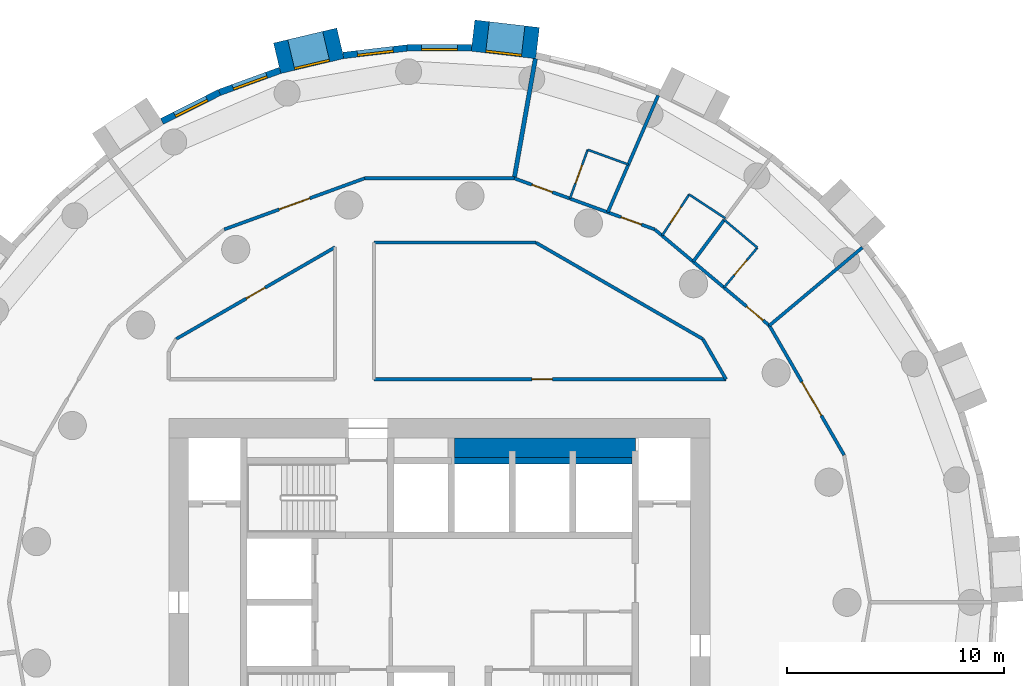
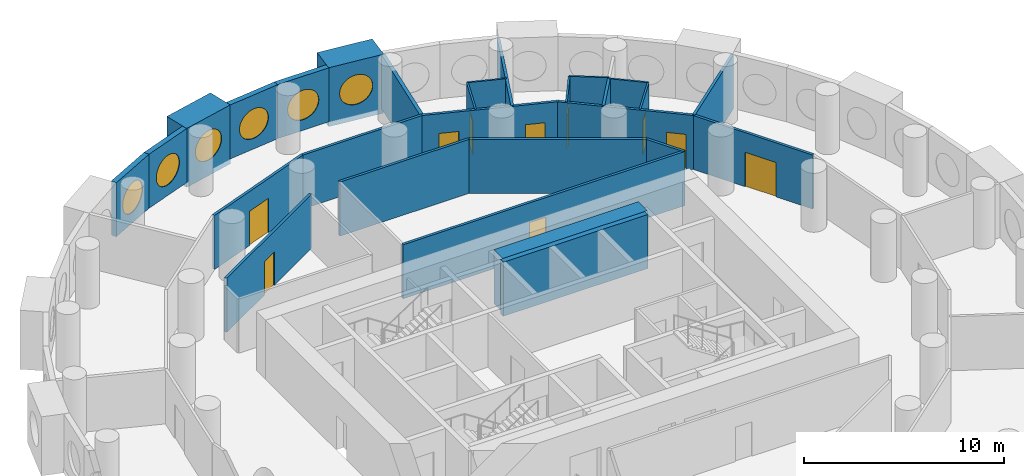
# One storey, part 6 of 9: 28 walls, 10 doors, 6 windows, 16 openings.
"""IFC4 building model written with IfcOpenShell, lengths in metres."""

from ifc_helpers import new_model, si_unit, direction, frame, frame_2d, origin, origin_2d, place, context, subcontext, project, spatial, rectangle, circle, extrude, material, layer, layer_set, type_object, element, fill, save


model = new_model("IFC4")

# Units and contexts
model_context = context("Model", 3, precision=1e-05, world=origin(), true_north=direction((0.0, 1.0)))
body_context = subcontext(model_context, "Body", "Model", "MODEL_VIEW")
ifc_project = project(units=[si_unit("LENGTHUNIT", "METRE"), si_unit("AREAUNIT", "SQUARE_METRE"), si_unit("VOLUMEUNIT", "CUBIC_METRE"), si_unit("PLANEANGLEUNIT", "RADIAN"), si_unit("MASSUNIT", "GRAM", prefix="KILO")], contexts=[model_context])

# Site, building, storey
site_placement = place(None, origin())
site = spatial("IfcSite", under=ifc_project, at=site_placement, CompositionType="ELEMENT")
building_placement = place(site_placement, origin())
building = spatial("IfcBuilding", under=site, at=building_placement, Name="Tracery Tower", CompositionType="ELEMENT")
storey_placement = place(building_placement, frame((0.0, 0.0, 147.60009765625)))
storey = spatial("IfcBuildingStorey", under=building, at=storey_placement, Name="L37", CompositionType="ELEMENT", Elevation=147.60009765625)

# Wall
ifc_material_1 = material(Name="Concrete C50/60", Category="concrete")
ifc_layer_1 = layer(ifc_material_1, 0.89990234375)
ifc_layer_set_1 = layer_set([ifc_layer_1], Name="Core strip wall 900 C50")
wall_type_1 = type_object("IfcWallType", Name="Core strip wall 900 C50", PredefinedType="SOLIDWALL", material=ifc_layer_set_1)
wall_1_placement = place(storey_placement, frame((0.699951171875, 7.14990234375, 0.0), z_axis=(0.0, 0.0, 1.0), x_axis=(1.0, 0.0, 0.0)))
element("IfcWall", 1, at=wall_1_placement, inside=storey, type_object=wall_type_1, Name="L37 F thick N E", PredefinedType="SOLIDWALL", context=body_context, shape_type="SweptSolid", body=[
    extrude(rectangle(XDim=8.35009765625, YDim=0.89990234375, at=frame_2d((4.175048828125, 0.0))), origin(), (0.0, 0.0, 1.0), 3.2998046875),
])

# Wall, opening, window
ifc_material_2 = material(Name="Precast concrete C50/60", Category="concrete")
ifc_layer_2 = layer(ifc_material_2, 1.449951171875)
ifc_layer_set_2 = layer_set([ifc_layer_2], Name="Deep-set bay unit 3000 x 3600, slab edge 300")
wall_type_2 = type_object("IfcWallType", Name="Deep-set bay unit 3000 x 3600, slab edge 300", PredefinedType="ELEMENTEDWALL", material=ifc_layer_set_2)
wall_2_placement = place(storey_placement, frame((4.529052734375, 25.827880859375, -0.300048828125), z_axis=(0.0, 0.0, 1.0), x_axis=(-0.9932342274, 0.116128246006, 0.0)))
wall_2 = element("IfcWall", 2, at=wall_2_placement, inside=storey, type_object=wall_type_2, Name="Deep-set bay unit 13 at L37", PredefinedType="ELEMENTEDWALL", context=body_context, shape_type="SweptSolid", body=[
    extrude(rectangle(XDim=3.0, YDim=1.449951171875, at=frame_2d((1.5, 0.0))), origin(), (0.0, 0.0, 1.0), 3.599853515625),
])
opening_1_placement = place(wall_2_placement, frame((1.5, 0.0, 1.85009765625)))
opening_1 = element("IfcOpeningElement", 3, at=opening_1_placement, cuts=wall_2, Name="Opening WN1", PredefinedType="OPENING", context=body_context, shape_type="SweptSolid", body=[
    extrude(circle(Radius=0.9000244140625, at=origin_2d()), frame((0.0, 0.73486328125, 0.0), z_axis=(0.0, -1.0, 0.0), x_axis=(1.0, 0.0, 0.0)), (0.0, 0.0, 1.0), 1.469970703125),
])
ifc_material_3 = material(Name="Aluminium frame with tinted double glazing", Category="aluminium")
window_type = type_object("IfcWindowType", Name="Round window 1800", PartitioningType="SINGLE_PANEL", PredefinedType="WINDOW", material=ifc_material_3)
window_1_placement = place(opening_1_placement, origin())
window_1 = element("IfcWindow", 4, at=window_1_placement, inside=storey, type_object=window_type, Name="Round window 13 at L37", OverallHeight=1.800048828125, OverallWidth=1.800048828125, PartitioningType="SINGLE_PANEL", PredefinedType="WINDOW", context=body_context, shape_type="SweptSolid", body=[
    extrude(circle(Radius=0.9000244140625, at=origin_2d()), frame((0.0, 0.69482421875, 0.0), z_axis=(0.0, -1.0, 0.0), x_axis=(1.0, 0.0, 0.0)), (0.0, 0.0, 1.0), 0.10009765625),
])
fill(opening_1, window_1)

wall_3_placement = place(storey_placement, frame((-4.57763671875, 25.8193359375, -0.300048828125), z_axis=(0.0, 0.0, 1.0), x_axis=(-0.973042333261, -0.23062657627, 0.0)))
wall_3 = element("IfcWall", 5, at=wall_3_placement, inside=storey, type_object=wall_type_2, Name="Deep-set bay unit 16 at L37", PredefinedType="ELEMENTEDWALL", context=body_context, shape_type="SweptSolid", body=[
    extrude(rectangle(XDim=3.0, YDim=1.449951171875, at=frame_2d((1.5, 0.0))), origin(), (0.0, 0.0, 1.0), 3.599853515625),
])
opening_2_placement = place(wall_3_placement, frame((1.5, 0.0, 1.85009765625)))
opening_2 = element("IfcOpeningElement", 6, at=opening_2_placement, cuts=wall_3, Name="Opening WN1", PredefinedType="OPENING", context=body_context, shape_type="SweptSolid", body=[
    extrude(circle(Radius=0.9000244140625, at=origin_2d()), frame((0.0, 0.73486328125, 0.0), z_axis=(0.0, -1.0, 0.0), x_axis=(1.0, 0.0, 0.0)), (0.0, 0.0, 1.0), 1.469970703125),
])
window_2_placement = place(opening_2_placement, origin())
window_2 = element("IfcWindow", 7, at=window_2_placement, inside=storey, type_object=window_type, Name="Round window 16 at L37", OverallHeight=1.800048828125, OverallWidth=1.800048828125, PartitioningType="SINGLE_PANEL", PredefinedType="WINDOW", context=body_context, shape_type="SweptSolid", body=[
    extrude(circle(Radius=0.9000244140625, at=origin_2d()), frame((0.0, 0.69482421875, 0.0), z_axis=(0.0, -1.0, 0.0), x_axis=(1.0, 0.0, 0.0)), (0.0, 0.0, 1.0), 0.10009765625),
])
fill(opening_2, window_2)

ifc_material_4 = material(Name="Precast concrete C50/60", Category="concrete")
ifc_layer_3 = layer(ifc_material_4, 0.300048828125)
ifc_layer_set_3 = layer_set([ifc_layer_3], Name="Facade panel 3000 x 3300")
wall_type_3 = type_object("IfcWallType", Name="Facade panel 3000 x 3300", PredefinedType="SOLIDWALL", material=ifc_layer_set_3)
wall_4_placement = place(storey_placement, frame((1.481689453125, 25.60400390625, 0.0), z_axis=(0.0, 0.0, 1.0), x_axis=(-1.0, 0.0, 0.0)))
wall_4 = element("IfcWall", 8, at=wall_4_placement, inside=storey, type_object=wall_type_3, Name="Facade panel 14 at L37", PredefinedType="SOLIDWALL", context=body_context, shape_type="SweptSolid", body=[
    extrude(rectangle(XDim=2.972900390625, YDim=0.300048828125, at=frame_2d((1.486328125, 0.0))), origin(), (0.0, 0.0, 1.0), 3.2998046875),
])
opening_3_placement = place(wall_4_placement, frame((1.486328125, 0.0, 1.5498046875)))
opening_3 = element("IfcOpeningElement", 9, at=opening_3_placement, cuts=wall_4, Name="Opening WN1", PredefinedType="OPENING", context=body_context, shape_type="SweptSolid", body=[
    extrude(circle(Radius=0.9000244140625, at=origin_2d()), frame((0.0, 0.159912109375, 0.0), z_axis=(0.0, -1.0, 0.0), x_axis=(1.0, 0.0, 0.0)), (0.0, 0.0, 1.0), 0.320068359375),
])
window_3_placement = place(opening_3_placement, origin())
window_3 = element("IfcWindow", 10, at=window_3_placement, inside=storey, type_object=window_type, Name="Round window 14 at L37", OverallHeight=1.800048828125, OverallWidth=1.800048828125, PartitioningType="SINGLE_PANEL", PredefinedType="WINDOW", context=body_context, shape_type="SweptSolid", body=[
    extrude(circle(Radius=0.9000244140625, at=origin_2d()), frame((0.0, 0.1201171875, 0.0), z_axis=(0.0, -1.0, 0.0), x_axis=(1.0, 0.0, 0.0)), (0.0, 0.0, 1.0), 0.10009765625),
])
fill(opening_3, window_3)

wall_5_placement = place(storey_placement, frame((-1.4912109375, 25.60400390625, 0.0), z_axis=(0.0, 0.0, 1.0), x_axis=(-0.993245010522, -0.1160359818, 0.0)))
wall_5 = element("IfcWall", 11, at=wall_5_placement, inside=storey, type_object=wall_type_3, Name="Facade panel 15 at L37", PredefinedType="SOLIDWALL", context=body_context, shape_type="SweptSolid", body=[
    extrude(rectangle(XDim=2.972900390625, YDim=0.300048828125, at=frame_2d((1.486328125, 0.0))), origin(), (0.0, 0.0, 1.0), 3.2998046875),
])
opening_4_placement = place(wall_5_placement, frame((1.486328125, 0.0, 1.5498046875)))
opening_4 = element("IfcOpeningElement", 12, at=opening_4_placement, cuts=wall_5, Name="Opening WN1", PredefinedType="OPENING", context=body_context, shape_type="SweptSolid", body=[
    extrude(circle(Radius=0.9000244140625, at=origin_2d()), frame((0.0, 0.159912109375, 0.0), z_axis=(0.0, -1.0, 0.0), x_axis=(1.0, 0.0, 0.0)), (0.0, 0.0, 1.0), 0.320068359375),
])
window_4_placement = place(opening_4_placement, origin())
window_4 = element("IfcWindow", 13, at=window_4_placement, inside=storey, type_object=window_type, Name="Round window 15 at L37", OverallHeight=1.800048828125, OverallWidth=1.800048828125, PartitioningType="SINGLE_PANEL", PredefinedType="WINDOW", context=body_context, shape_type="SweptSolid", body=[
    extrude(circle(Radius=0.9000244140625, at=origin_2d()), frame((0.0, 0.1201171875, 0.0), z_axis=(0.0, -1.0, 0.0), x_axis=(1.0, 0.0, 0.0)), (0.0, 0.0, 1.0), 0.10009765625),
])
fill(opening_4, window_4)

wall_6_placement = place(storey_placement, frame((-7.36474609375, 24.566650390625, 0.0), z_axis=(0.0, 0.0, 1.0), x_axis=(-0.939690282133, -0.342026568652, 0.0)))
wall_6 = element("IfcWall", 14, at=wall_6_placement, inside=storey, type_object=wall_type_3, Name="Facade panel 17 at L37", PredefinedType="SOLIDWALL", context=body_context, shape_type="SweptSolid", body=[
    extrude(rectangle(XDim=2.972900390625, YDim=0.300048828125, at=frame_2d((1.486328125, 0.0))), origin(), (0.0, 0.0, 1.0), 3.2998046875),
])
opening_5_placement = place(wall_6_placement, frame((1.486328125, 0.0, 1.5498046875)))
opening_5 = element("IfcOpeningElement", 15, at=opening_5_placement, cuts=wall_6, Name="Opening WN1", PredefinedType="OPENING", context=body_context, shape_type="SweptSolid", body=[
    extrude(circle(Radius=0.9000244140625, at=origin_2d()), frame((0.0, 0.159912109375, 0.0), z_axis=(0.0, -1.0, 0.0), x_axis=(1.0, 0.0, 0.0)), (0.0, 0.0, 1.0), 0.320068359375),
])
window_5_placement = place(opening_5_placement, origin())
window_5 = element("IfcWindow", 16, at=window_5_placement, inside=storey, type_object=window_type, Name="Round window 17 at L37", OverallHeight=1.800048828125, OverallWidth=1.800048828125, PartitioningType="SINGLE_PANEL", PredefinedType="WINDOW", context=body_context, shape_type="SweptSolid", body=[
    extrude(circle(Radius=0.9000244140625, at=origin_2d()), frame((0.0, 0.1201171875, 0.0), z_axis=(0.0, -1.0, 0.0), x_axis=(1.0, 0.0, 0.0)), (0.0, 0.0, 1.0), 0.10009765625),
])
fill(opening_5, window_5)

wall_7_placement = place(storey_placement, frame((-10.158447265625, 23.5498046875, 0.0), z_axis=(0.0, 0.0, 1.0), x_axis=(-0.893637442555, -0.448789618045, 0.0)))
wall_7 = element("IfcWall", 17, at=wall_7_placement, inside=storey, type_object=wall_type_3, Name="Facade panel 18 at L37", PredefinedType="SOLIDWALL", context=body_context, shape_type="SweptSolid", body=[
    extrude(rectangle(XDim=2.972900390625, YDim=0.300048828125, at=frame_2d((1.486328125, 0.0))), origin(), (0.0, 0.0, 1.0), 3.2998046875),
])
opening_6_placement = place(wall_7_placement, frame((1.486328125, 0.0, 1.5498046875)))
opening_6 = element("IfcOpeningElement", 18, at=opening_6_placement, cuts=wall_7, Name="Opening WN1", PredefinedType="OPENING", context=body_context, shape_type="SweptSolid", body=[
    extrude(circle(Radius=0.9000244140625, at=origin_2d()), frame((0.0, 0.159912109375, 0.0), z_axis=(0.0, -1.0, 0.0), x_axis=(1.0, 0.0, 0.0)), (0.0, 0.0, 1.0), 0.320068359375),
])
window_6_placement = place(opening_6_placement, origin())
window_6 = element("IfcWindow", 19, at=window_6_placement, inside=storey, type_object=window_type, Name="Round window 18 at L37", OverallHeight=1.800048828125, OverallWidth=1.800048828125, PartitioningType="SINGLE_PANEL", PredefinedType="WINDOW", context=body_context, shape_type="SweptSolid", body=[
    extrude(circle(Radius=0.9000244140625, at=origin_2d()), frame((0.0, 0.1201171875, 0.0), z_axis=(0.0, -1.0, 0.0), x_axis=(1.0, 0.0, 0.0)), (0.0, 0.0, 1.0), 0.10009765625),
])
fill(opening_6, window_6)

# Wall, opening, door
ifc_material_5 = material(Name="Plasterboard on steel studs", Category="steel")
ifc_layer_4 = layer(ifc_material_5, 0.10009765625)
ifc_layer_set_4 = layer_set([ifc_layer_4], Name="Partition 100 wet wall")
wall_type_4 = type_object("IfcWallType", Name="Partition 100 wet wall", PredefinedType="PARTITIONING", material=ifc_layer_set_4)
wall_8_placement = place(storey_placement, frame((13.138916015625, 14.5419921875, 0.0), z_axis=(0.0, 0.0, 1.0), x_axis=(0.642731657745, 0.766091388891, 0.0)))
wall_8 = element("IfcWall", 20, at=wall_8_placement, inside=storey, type_object=wall_type_4, Name="Wet wall RB3-041", PredefinedType="PARTITIONING", context=body_context, shape_type="SweptSolid", body=[
    extrude(rectangle(XDim=2.400634765625, YDim=0.10009765625, at=frame_2d((1.2001953125, 0.0))), origin(), (0.0, 0.0, 1.0), 3.2998046875),
])
opening_7_placement = place(wall_8_placement, frame((0.75, 0.0, 0.0)))
opening_7 = element("IfcOpeningElement", 21, at=opening_7_placement, cuts=wall_8, Name="Opening RB3-06", PredefinedType="OPENING", context=body_context, shape_type="SweptSolid", body=[
    extrude(rectangle(XDim=0.89990234375, YDim=2.0400390625, at=frame_2d((0.449951171875, 1.02001953125))), frame((0.0, 0.050048828125, 0.0), z_axis=(0.0, -1.0, 0.0), x_axis=(1.0, 0.0, 0.0)), (0.0, 0.0, 1.0), 0.10009765625),
])
ifc_material_6 = material(Name="Timber door leaf", Category="wood")
door_type_1 = type_object("IfcDoorType", Name="Door en-suite 900", OperationType="NOTDEFINED", PredefinedType="DOOR", material=ifc_material_6)
door_1_placement = place(opening_7_placement, origin())
door_1 = element("IfcDoor", 22, at=door_1_placement, inside=storey, type_object=door_type_1, Name="En-suite door RB3-06", OperationType="SINGLE_SWING_LEFT", OverallHeight=2.0400390625, OverallWidth=0.89990234375, PredefinedType="DOOR", context=body_context, shape_type="SweptSolid", body=[
    extrude(rectangle(XDim=0.89990234375, YDim=2.0400390625, at=frame_2d((0.449951171875, 1.02001953125))), frame((0.0, 0.02490234375, 0.0), z_axis=(0.0, -1.0, 0.0), x_axis=(1.0, 0.0, 0.0)), (0.0, 0.0, 1.0), 0.050048828125),
])
fill(opening_7, door_1)

# Walls
wall_9_placement = place(storey_placement, frame((13.15087890625, 17.6650390625, 0.0), z_axis=(0.0, 0.0, 1.0), x_axis=(0.766224532916, -0.642572925945, 0.0)))
element("IfcWall", 23, at=wall_9_placement, inside=storey, type_object=wall_type_4, Name="Wet wall RB3-042", PredefinedType="PARTITIONING", context=body_context, shape_type="SweptSolid", body=[
    extrude(rectangle(XDim=1.998046875, YDim=0.10009765625, at=frame_2d((0.9990234375, 0.0))), origin(), (0.0, 0.0, 1.0), 3.2998046875),
])
wall_10_placement = place(storey_placement, frame((11.531005859375, 18.8369140625, 0.0), z_axis=(0.0, 0.0, 1.0), x_axis=(0.835392041163, -0.549654562032, 0.0)))
element("IfcWall", 24, at=wall_10_placement, inside=storey, type_object=wall_type_4, Name="Wet wall RB3-045", PredefinedType="PARTITIONING", context=body_context, shape_type="SweptSolid", body=[
    extrude(rectangle(XDim=2.002685546875, YDim=0.10009765625, at=frame_2d((1.00146484375, 0.0))), origin(), (0.0, 0.0, 1.0), 3.2998046875),
])

# Wall, opening, door
wall_11_placement = place(storey_placement, frame((10.281982421875, 16.93896484375, 0.0), z_axis=(0.0, 0.0, 1.0), x_axis=(0.549730960803, 0.83534176882, 0.0)))
wall_11 = element("IfcWall", 25, at=wall_11_placement, inside=storey, type_object=wall_type_4, Name="Wet wall RB3-046", PredefinedType="PARTITIONING", context=body_context, shape_type="SweptSolid", body=[
    extrude(rectangle(XDim=2.27197265625, YDim=0.10009765625, at=frame_2d((1.135986328125, 0.0))), origin(), (0.0, 0.0, 1.0), 3.2998046875),
])
opening_8_placement = place(wall_11_placement, frame((0.68603515625, 0.0, 0.0)))
opening_8 = element("IfcOpeningElement", 26, at=opening_8_placement, cuts=wall_11, Name="Opening RB3-08", PredefinedType="OPENING", context=body_context, shape_type="SweptSolid", body=[
    extrude(rectangle(XDim=0.89990234375, YDim=2.0400390625, at=frame_2d((0.449951171875, 1.02001953125))), frame((0.0, 0.050048828125, 0.0), z_axis=(0.0, -1.0, 0.0), x_axis=(1.0, 0.0, 0.0)), (0.0, 0.0, 1.0), 0.10009765625),
])
door_2_placement = place(opening_8_placement, origin())
door_2 = element("IfcDoor", 27, at=door_2_placement, inside=storey, type_object=door_type_1, Name="En-suite door RB3-08", OperationType="SINGLE_SWING_LEFT", OverallHeight=2.0400390625, OverallWidth=0.89990234375, PredefinedType="DOOR", context=body_context, shape_type="SweptSolid", body=[
    extrude(rectangle(XDim=0.89990234375, YDim=2.0400390625, at=frame_2d((0.449951171875, 1.02001953125))), frame((0.0, 0.02490234375, 0.0), z_axis=(0.0, -1.0, 0.0), x_axis=(1.0, 0.0, 0.0)), (0.0, 0.0, 1.0), 0.050048828125),
])
fill(opening_8, door_2)

# Wall
wall_12_placement = place(storey_placement, frame((6.844970703125, 20.905029296875, 0.0), z_axis=(0.0, 0.0, 1.0), x_axis=(0.939757747305, -0.341841156651, 0.0)))
element("IfcWall", 28, at=wall_12_placement, inside=storey, type_object=wall_type_4, Name="Wet wall RB3-048", PredefinedType="PARTITIONING", context=body_context, shape_type="SweptSolid", body=[
    extrude(rectangle(XDim=1.998291015625, YDim=0.10009765625, at=frame_2d((0.9990234375, 0.0))), origin(), (0.0, 0.0, 1.0), 3.2998046875),
])

# Wall, opening, door
wall_13_placement = place(storey_placement, frame((6.02392578125, 18.64990234375, 0.0), z_axis=(0.0, 0.0, 1.0), x_axis=(0.342110593602, 0.939659694648, 0.0)))
wall_13 = element("IfcWall", 29, at=wall_13_placement, inside=storey, type_object=wall_type_4, Name="Wet wall RB3-049", PredefinedType="PARTITIONING", context=body_context, shape_type="SweptSolid", body=[
    extrude(rectangle(XDim=2.39990234375, YDim=0.10009765625, at=frame_2d((1.199951171875, 0.0))), origin(), (0.0, 0.0, 1.0), 3.2998046875),
])
opening_9_placement = place(wall_13_placement, frame((0.749755859375, 0.0, 0.0)))
opening_9 = element("IfcOpeningElement", 30, at=opening_9_placement, cuts=wall_13, Name="Opening RB3-10", PredefinedType="OPENING", context=body_context, shape_type="SweptSolid", body=[
    extrude(rectangle(XDim=0.89990234375, YDim=2.0400390625, at=frame_2d((0.449951171875, 1.02001953125))), frame((0.0, 0.050048828125, 0.0), z_axis=(0.0, -1.0, 0.0), x_axis=(1.0, 0.0, 0.0)), (0.0, 0.0, 1.0), 0.10009765625),
])
door_3_placement = place(opening_9_placement, origin())
door_3 = element("IfcDoor", 31, at=door_3_placement, inside=storey, type_object=door_type_1, Name="En-suite door RB3-10", OperationType="SINGLE_SWING_RIGHT", OverallHeight=2.0400390625, OverallWidth=0.89990234375, PredefinedType="DOOR", context=body_context, shape_type="SweptSolid", body=[
    extrude(rectangle(XDim=0.89990234375, YDim=2.0400390625, at=frame_2d((0.449951171875, 1.02001953125))), frame((0.0, 0.02490234375, 0.0), z_axis=(0.0, -1.0, 0.0), x_axis=(1.0, 0.0, 0.0)), (0.0, 0.0, 1.0), 0.050048828125),
])
fill(opening_9, door_3)

# Walls
ifc_material_7 = material(Name="Plasterboard on steel studs", Category="steel")
ifc_layer_5 = layer(ifc_material_7, 0.14990234375)
ifc_layer_set_5 = layer_set([ifc_layer_5], Name="Partition 150 acoustic unit wall")
wall_type_5 = type_object("IfcWallType", Name="Partition 150 acoustic unit wall", PredefinedType="PARTITIONING", material=ifc_layer_set_5)
wall_14_placement = place(storey_placement, frame((15.235107421875, 12.783935546875, 0.0), z_axis=(0.0, 0.0, 1.0), x_axis=(0.76609059793, 0.642732600514, 0.0)))
element("IfcWall", 32, at=wall_14_placement, inside=storey, type_object=wall_type_5, Name="Unit wall RB3-039", PredefinedType="PARTITIONING", context=body_context, shape_type="SweptSolid", body=[
    extrude(rectangle(XDim=5.60888671875, YDim=0.14990234375, at=frame_2d((2.804443359375, 0.0))), origin(), (0.0, 0.0, 1.0), 3.2998046875),
])
wall_15_placement = place(storey_placement, frame((11.716064453125, 15.737060546875, 0.0), z_axis=(0.0, 0.0, 1.0), x_axis=(0.597021412293, 0.802225300813, 0.0)))
element("IfcWall", 33, at=wall_15_placement, inside=storey, type_object=wall_type_5, Name="Unit wall RB3-044", PredefinedType="PARTITIONING", context=body_context, shape_type="SweptSolid", body=[
    extrude(rectangle(XDim=2.4033203125, YDim=0.14990234375, at=frame_2d((1.20166015625, 0.0))), origin(), (0.0, 0.0, 1.0), 3.2998046875),
])
wall_16_placement = place(storey_placement, frame((7.771728515625, 18.013671875, 0.0), z_axis=(0.0, 0.0, 1.0), x_axis=(0.395898183585, 0.918294412612, 0.0)))
element("IfcWall", 34, at=wall_16_placement, inside=storey, type_object=wall_type_5, Name="Unit wall RB3-047", PredefinedType="PARTITIONING", context=body_context, shape_type="SweptSolid", body=[
    extrude(rectangle(XDim=5.878662109375, YDim=0.14990234375, at=frame_2d((2.939453125, 0.0))), origin(), (0.0, 0.0, 1.0), 3.2998046875),
])

# Wall, opening, door
ifc_material_8 = material(Name="Plasterboard on steel studs", Category="steel")
ifc_layer_6 = layer(ifc_material_8, 0.14990234375)
ifc_layer_set_6 = layer_set([ifc_layer_6], Name="Partition 150 corridor wall")
wall_type_6 = type_object("IfcWallType", Name="Partition 150 corridor wall", PredefinedType="PARTITIONING", material=ifc_layer_set_6)
wall_17_placement = place(storey_placement, frame((-3.02490234375, 10.300048828125, 0.0), z_axis=(0.0, 0.0, 1.0), x_axis=(1.0, 0.0, 0.0)))
wall_17 = element("IfcWall", 35, at=wall_17_placement, inside=storey, type_object=wall_type_6, Name="Corridor wall RB3-002", PredefinedType="PARTITIONING", context=body_context, shape_type="SweptSolid", body=[
    extrude(rectangle(XDim=16.261962890625, YDim=0.14990234375, at=frame_2d((8.130859375, 0.0))), origin(), (0.0, 0.0, 1.0), 3.2998046875),
])
opening_10_placement = place(wall_17_placement, frame((7.2880859375, 0.0, 0.0)))
opening_10 = element("IfcOpeningElement", 36, at=opening_10_placement, cuts=wall_17, Name="Opening RB3-02", PredefinedType="OPENING", context=body_context, shape_type="SweptSolid", body=[
    extrude(rectangle(XDim=0.949951171875, YDim=2.10009765625, at=frame_2d((0.47509765625, 1.050048828125))), frame((0.0, 0.074951171875, 0.0), z_axis=(0.0, -1.0, 0.0), x_axis=(1.0, 0.0, 0.0)), (0.0, 0.0, 1.0), 0.14990234375),
])
ifc_material_9 = material(Name="Timber door leaf", Category="wood")
door_type_2 = type_object("IfcDoorType", Name="Door store 950", OperationType="NOTDEFINED", PredefinedType="DOOR", material=ifc_material_9)
door_4_placement = place(opening_10_placement, origin())
door_4 = element("IfcDoor", 37, at=door_4_placement, inside=storey, type_object=door_type_2, Name="Store door RB3-02", OperationType="SINGLE_SWING_RIGHT", OverallHeight=2.10009765625, OverallWidth=0.949951171875, PredefinedType="DOOR", context=body_context, shape_type="SweptSolid", body=[
    extrude(rectangle(XDim=0.949951171875, YDim=2.10009765625, at=frame_2d((0.47509765625, 1.050048828125))), frame((0.0, 0.02490234375, 0.0), z_axis=(0.0, -1.0, 0.0), x_axis=(1.0, 0.0, 0.0)), (0.0, 0.0, 1.0), 0.050048828125),
])
fill(opening_10, door_4)

# Wall
wall_18_placement = place(storey_placement, frame((12.162109375, 12.162109375, 0.0), z_axis=(0.0, 0.0, 1.0), x_axis=(0.499961633463, -0.866047553582, 0.0)))
element("IfcWall", 38, at=wall_18_placement, inside=storey, type_object=wall_type_6, Name="Corridor wall RB3-005", PredefinedType="PARTITIONING", context=body_context, shape_type="SweptSolid", body=[
    extrude(rectangle(XDim=2.150146484375, YDim=0.14990234375, at=frame_2d((1.0751953125, 0.0))), origin(), (0.0, 0.0, 1.0), 3.2998046875),
])

# Wall, opening, door
wall_19_placement = place(storey_placement, frame((15.235107421875, 12.783935546875, 0.0), z_axis=(0.0, 0.0, 1.0), x_axis=(0.499914202267, -0.866074933462, 0.0)))
wall_19 = element("IfcWall", 39, at=wall_19_placement, inside=storey, type_object=wall_type_6, Name="Corridor wall RB3-007", PredefinedType="PARTITIONING", context=body_context, shape_type="SweptSolid", body=[
    extrude(rectangle(XDim=6.906982421875, YDim=0.14990234375, at=frame_2d((3.45361328125, 0.0))), origin(), (0.0, 0.0, 1.0), 3.2998046875),
])
opening_11_placement = place(wall_19_placement, frame((3.00390625, 0.0, 0.0)))
opening_11 = element("IfcOpeningElement", 40, at=opening_11_placement, cuts=wall_19, Name="Opening RB3-05", PredefinedType="OPENING", context=body_context, shape_type="SweptSolid", body=[
    extrude(rectangle(XDim=1.800048828125, YDim=2.10009765625, at=frame_2d((0.89990234375, 1.050048828125))), frame((0.0, 0.074951171875, 0.0), z_axis=(0.0, -1.0, 0.0), x_axis=(1.0, 0.0, 0.0)), (0.0, 0.0, 1.0), 0.14990234375),
])
ifc_material_10 = material(Name="Timber door leaf", Category="wood")
door_type_3 = type_object("IfcDoorType", Name="Door double lounge 1800", OperationType="NOTDEFINED", PredefinedType="DOOR", material=ifc_material_10)
door_5_placement = place(opening_11_placement, origin())
door_5 = element("IfcDoor", 41, at=door_5_placement, inside=storey, type_object=door_type_3, Name="Double lounge door RB3-05", OperationType="DOUBLE_DOOR_SINGLE_SWING", OverallHeight=2.10009765625, OverallWidth=1.800048828125, PredefinedType="DOOR", context=body_context, shape_type="SweptSolid", body=[
    extrude(rectangle(XDim=1.800048828125, YDim=2.10009765625, at=frame_2d((0.89990234375, 1.050048828125))), frame((0.0, 0.02490234375, 0.0), z_axis=(0.0, -1.0, 0.0), x_axis=(1.0, 0.0, 0.0)), (0.0, 0.0, 1.0), 0.050048828125),
])
fill(opening_11, door_5)

wall_20_placement = place(storey_placement, frame((9.943359375, 17.22216796875, 0.0), z_axis=(0.0, 0.0, 1.0), x_axis=(0.766192104565, -0.642611592567, 0.0)))
wall_20 = element("IfcWall", 42, at=wall_20_placement, inside=storey, type_object=wall_type_6, Name="Corridor wall RB3-009", PredefinedType="PARTITIONING", context=body_context, shape_type="SweptSolid", body=[
    extrude(rectangle(XDim=6.906494140625, YDim=0.14990234375, at=frame_2d((3.453125, 0.0))), origin(), (0.0, 0.0, 1.0), 3.2998046875),
])
opening_12_placement = place(wall_20_placement, frame((5.53662109375, 0.0, 0.0)))
opening_12 = element("IfcOpeningElement", 43, at=opening_12_placement, cuts=wall_20, Name="Opening RB3-07", PredefinedType="OPENING", context=body_context, shape_type="SweptSolid", body=[
    extrude(rectangle(XDim=1.0, YDim=2.10009765625, at=frame_2d((0.5, 1.050048828125))), frame((0.0, 0.074951171875, 0.0), z_axis=(0.0, -1.0, 0.0), x_axis=(1.0, 0.0, 0.0)), (0.0, 0.0, 1.0), 0.14990234375),
])
ifc_material_11 = material(Name="Timber door leaf", Category="wood")
door_type_4 = type_object("IfcDoorType", Name="Door unit entrance 1000", OperationType="NOTDEFINED", PredefinedType="DOOR", material=ifc_material_11)
door_6_placement = place(opening_12_placement, origin())
door_6 = element("IfcDoor", 44, at=door_6_placement, inside=storey, type_object=door_type_4, Name="Unit entrance door RB3-07", OperationType="SINGLE_SWING_RIGHT", OverallHeight=2.10009765625, OverallWidth=1.0, PredefinedType="DOOR", context=body_context, shape_type="SweptSolid", body=[
    extrude(rectangle(XDim=1.0, YDim=2.10009765625, at=frame_2d((0.5, 1.050048828125))), frame((0.0, 0.02490234375, 0.0), z_axis=(0.0, -1.0, 0.0), x_axis=(1.0, 0.0, 0.0)), (0.0, 0.0, 1.0), 0.050048828125),
])
fill(opening_12, door_6)

wall_21_placement = place(storey_placement, frame((-12.162109375, 12.162109375, 0.0), z_axis=(0.0, 0.0, 1.0), x_axis=(0.866004766557, 0.500035743023, 0.0)))
wall_21 = element("IfcWall", 45, at=wall_21_placement, inside=storey, type_object=wall_type_6, Name="Corridor wall RB3-014", PredefinedType="PARTITIONING", context=body_context, shape_type="SweptSolid", body=[
    extrude(rectangle(XDim=8.47705078125, YDim=0.14990234375, at=frame_2d((4.238525390625, 0.0))), origin(), (0.0, 0.0, 1.0), 3.2998046875),
])
opening_13_placement = place(wall_21_placement, frame((3.739013671875, 0.0, 0.0)))
opening_13 = element("IfcOpeningElement", 46, at=opening_13_placement, cuts=wall_21, Name="Opening RB3-01", PredefinedType="OPENING", context=body_context, shape_type="SweptSolid", body=[
    extrude(rectangle(XDim=1.0, YDim=2.0400390625, at=frame_2d((0.5, 1.02001953125))), frame((0.0, 0.074951171875, 0.0), z_axis=(0.0, -1.0, 0.0), x_axis=(1.0, 0.0, 0.0)), (0.0, 0.0, 1.0), 0.14990234375),
])
ifc_material_12 = material(Name="Timber door leaf", Category="wood")
door_type_5 = type_object("IfcDoorType", Name="Door communal room 1000", OperationType="NOTDEFINED", PredefinedType="DOOR", material=ifc_material_12)
door_7_placement = place(opening_13_placement, origin())
door_7 = element("IfcDoor", 47, at=door_7_placement, inside=storey, type_object=door_type_5, Name="Communal room door RB3-01", OperationType="SINGLE_SWING_LEFT", OverallHeight=2.0400390625, OverallWidth=1.0, PredefinedType="DOOR", context=body_context, shape_type="SweptSolid", body=[
    extrude(rectangle(XDim=1.0, YDim=2.0400390625, at=frame_2d((0.5, 1.02001953125))), frame((0.0, 0.02490234375, 0.0), z_axis=(0.0, -1.0, 0.0), x_axis=(1.0, 0.0, 0.0)), (0.0, 0.0, 1.0), 0.050048828125),
])
fill(opening_13, door_7)

# Walls
wall_22_placement = place(storey_placement, frame((4.451904296875, 16.614013671875, 0.0), z_axis=(0.0, 0.0, 1.0), x_axis=(0.866005203721, -0.500034985904, 0.0)))
element("IfcWall", 48, at=wall_22_placement, inside=storey, type_object=wall_type_6, Name="Corridor wall RB3-015", PredefinedType="PARTITIONING", context=body_context, shape_type="SweptSolid", body=[
    extrude(rectangle(XDim=8.903076171875, YDim=0.14990234375, at=frame_2d((4.45166015625, 0.0))), origin(), (0.0, 0.0, 1.0), 3.2998046875),
])
wall_23_placement = place(storey_placement, frame((-3.02099609375, 16.614013671875, 0.0), z_axis=(0.0, 0.0, 1.0), x_axis=(1.0, 0.0, 0.0)))
element("IfcWall", 49, at=wall_23_placement, inside=storey, type_object=wall_type_6, Name="Corridor wall RB3-016", PredefinedType="PARTITIONING", context=body_context, shape_type="SweptSolid", body=[
    extrude(rectangle(XDim=7.472900390625, YDim=0.14990234375, at=frame_2d((3.736328125, 0.0))), origin(), (0.0, 0.0, 1.0), 3.2998046875),
])

# Wall, openings, doors
wall_24_placement = place(storey_placement, frame((3.452392578125, 19.584716796875, 0.0), z_axis=(0.0, 0.0, 1.0), x_axis=(0.939737689664, -0.341896292208, 0.0)))
wall_24 = element("IfcWall", 50, at=wall_24_placement, inside=storey, type_object=wall_type_6, Name="Corridor wall RB3-018", PredefinedType="PARTITIONING", context=body_context, shape_type="SweptSolid", body=[
    extrude(rectangle(XDim=6.907958984375, YDim=0.14990234375, at=frame_2d((3.4541015625, 0.0))), origin(), (0.0, 0.0, 1.0), 3.2998046875),
])
opening_14_placement = place(wall_24_placement, frame((5.2490234375, 0.0, 0.0)))
opening_14 = element("IfcOpeningElement", 51, at=opening_14_placement, cuts=wall_24, Name="Opening RB3-09", PredefinedType="OPENING", context=body_context, shape_type="SweptSolid", body=[
    extrude(rectangle(XDim=1.0, YDim=2.10009765625, at=frame_2d((0.5, 1.050048828125))), frame((0.0, 0.074951171875, 0.0), z_axis=(0.0, -1.0, 0.0), x_axis=(1.0, 0.0, 0.0)), (0.0, 0.0, 1.0), 0.14990234375),
])
opening_15_placement = place(wall_24_placement, frame((0.8701171875, 0.0, 0.0)))
opening_15 = element("IfcOpeningElement", 52, at=opening_15_placement, cuts=wall_24, Name="Opening RB3-11", PredefinedType="OPENING", context=body_context, shape_type="SweptSolid", body=[
    extrude(rectangle(XDim=1.0, YDim=2.10009765625, at=frame_2d((0.5, 1.050048828125))), frame((0.0, 0.074951171875, 0.0), z_axis=(0.0, -1.0, 0.0), x_axis=(1.0, 0.0, 0.0)), (0.0, 0.0, 1.0), 0.14990234375),
])
door_8_placement = place(opening_14_placement, origin())
door_8 = element("IfcDoor", 53, at=door_8_placement, inside=storey, type_object=door_type_4, Name="Unit entrance door RB3-09", OperationType="SINGLE_SWING_LEFT", OverallHeight=2.10009765625, OverallWidth=1.0, PredefinedType="DOOR", context=body_context, shape_type="SweptSolid", body=[
    extrude(rectangle(XDim=1.0, YDim=2.10009765625, at=frame_2d((0.5, 1.050048828125))), frame((0.0, 0.02490234375, 0.0), z_axis=(0.0, -1.0, 0.0), x_axis=(1.0, 0.0, 0.0)), (0.0, 0.0, 1.0), 0.050048828125),
])
fill(opening_14, door_8)
door_9_placement = place(opening_15_placement, origin())
door_9 = element("IfcDoor", 54, at=door_9_placement, inside=storey, type_object=door_type_4, Name="Unit entrance door RB3-11", OperationType="SINGLE_SWING_LEFT", OverallHeight=2.10009765625, OverallWidth=1.0, PredefinedType="DOOR", context=body_context, shape_type="SweptSolid", body=[
    extrude(rectangle(XDim=1.0, YDim=2.10009765625, at=frame_2d((0.5, 1.050048828125))), frame((0.0, 0.02490234375, 0.0), z_axis=(0.0, -1.0, 0.0), x_axis=(1.0, 0.0, 0.0)), (0.0, 0.0, 1.0), 0.050048828125),
])
fill(opening_15, door_9)

# Wall, opening, door
wall_25_placement = place(storey_placement, frame((-9.944091796875, 17.222900390625, 0.0), z_axis=(0.0, 0.0, 1.0), x_axis=(0.939672634566, 0.342075050021, 0.0)))
wall_25 = element("IfcWall", 55, at=wall_25_placement, inside=storey, type_object=wall_type_6, Name="Corridor wall RB3-020", PredefinedType="PARTITIONING", context=body_context, shape_type="SweptSolid", body=[
    extrude(rectangle(XDim=6.907958984375, YDim=0.14990234375, at=frame_2d((3.4541015625, 0.0))), origin(), (0.0, 0.0, 1.0), 3.2998046875),
])
opening_16_placement = place(wall_25_placement, frame((2.7041015625, 0.0, 0.0)))
opening_16 = element("IfcOpeningElement", 56, at=opening_16_placement, cuts=wall_25, Name="Opening RB3-12", PredefinedType="OPENING", context=body_context, shape_type="SweptSolid", body=[
    extrude(rectangle(XDim=1.5, YDim=2.10009765625, at=frame_2d((0.75, 1.050048828125))), frame((0.0, 0.074951171875, 0.0), z_axis=(0.0, -1.0, 0.0), x_axis=(1.0, 0.0, 0.0)), (0.0, 0.0, 1.0), 0.14990234375),
])
ifc_material_13 = material(Name="Timber door leaf", Category="wood")
door_type_6 = type_object("IfcDoorType", Name="Door double kitchen 1500", OperationType="NOTDEFINED", PredefinedType="DOOR", material=ifc_material_13)
door_10_placement = place(opening_16_placement, origin())
door_10 = element("IfcDoor", 57, at=door_10_placement, inside=storey, type_object=door_type_6, Name="Double kitchen door RB3-12", OperationType="DOUBLE_DOOR_SINGLE_SWING", OverallHeight=2.10009765625, OverallWidth=1.5, PredefinedType="DOOR", context=body_context, shape_type="SweptSolid", body=[
    extrude(rectangle(XDim=1.5, YDim=2.10009765625, at=frame_2d((0.75, 1.050048828125))), frame((0.0, 0.02490234375, 0.0), z_axis=(0.0, -1.0, 0.0), x_axis=(1.0, 0.0, 0.0)), (0.0, 0.0, 1.0), 0.050048828125),
])
fill(opening_16, door_10)

# Walls
wall_26_placement = place(storey_placement, frame((-3.452880859375, 19.5859375, 0.0), z_axis=(0.0, 0.0, 1.0), x_axis=(1.0, 0.0, 0.0)))
element("IfcWall", 58, at=wall_26_placement, inside=storey, type_object=wall_type_6, Name="Corridor wall RB3-021", PredefinedType="PARTITIONING", context=body_context, shape_type="SweptSolid", body=[
    extrude(rectangle(XDim=6.90576171875, YDim=0.14990234375, at=frame_2d((3.452880859375, 0.0))), origin(), (0.0, 0.0, 1.0), 3.2998046875),
])
ifc_material_14 = material(Name="Plasterboard on steel studs", Category="steel")
ifc_layer_7 = layer(ifc_material_14, 0.199951171875)
ifc_layer_set_7 = layer_set([ifc_layer_7], Name="Partition 200 compartment wall")
wall_type_7 = type_object("IfcWallType", Name="Partition 200 compartment wall", PredefinedType="PARTITIONING", material=ifc_layer_set_7)
wall_27_placement = place(storey_placement, frame((3.452880859375, 19.5859375, 0.0), z_axis=(0.0, 0.0, 1.0), x_axis=(0.17382754149, 0.984776109489, 0.0)))
element("IfcWall", 59, at=wall_27_placement, inside=storey, type_object=wall_type_7, Name="Compartment wall RB3-050", PredefinedType="PARTITIONING", context=body_context, shape_type="SweptSolid", body=[
    extrude(rectangle(XDim=5.609619140625, YDim=0.199951171875, at=frame_2d((2.8046875, 0.0))), origin(), (0.0, 0.0, 1.0), 3.2998046875),
])
ifc_material_15 = material(Name="Concrete C50/60", Category="concrete")
ifc_layer_8 = layer(ifc_material_15, 0.300048828125)
ifc_layer_set_8 = layer_set([ifc_layer_8], Name="Stair wall 300 C50")
wall_type_8 = type_object("IfcWallType", Name="Stair wall 300 C50", PredefinedType="SOLIDWALL", material=ifc_layer_set_8)
wall_28_placement = place(storey_placement, frame((0.550048828125, 6.550048828125, 0.0), z_axis=(0.0, 0.0, 1.0), x_axis=(1.0, 0.0, 0.0)))
element("IfcWall", 60, at=wall_28_placement, inside=storey, type_object=wall_type_8, Name="L37 F stair strip N E", PredefinedType="SOLIDWALL", context=body_context, shape_type="SweptSolid", body=[
    extrude(rectangle(XDim=8.349853515625, YDim=0.300048828125, at=frame_2d((4.1748046875, 0.0))), origin(), (0.0, 0.0, 1.0), 3.2998046875),
])

save(model, "model.ifc")
